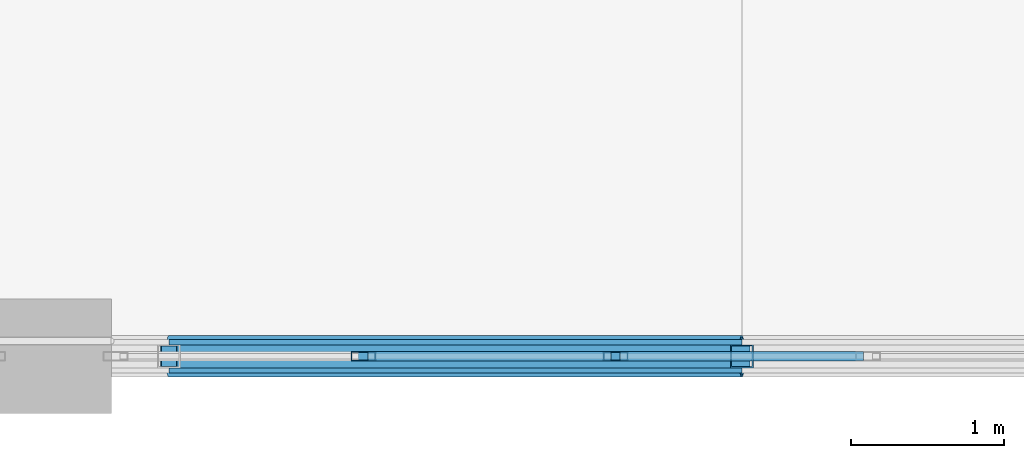
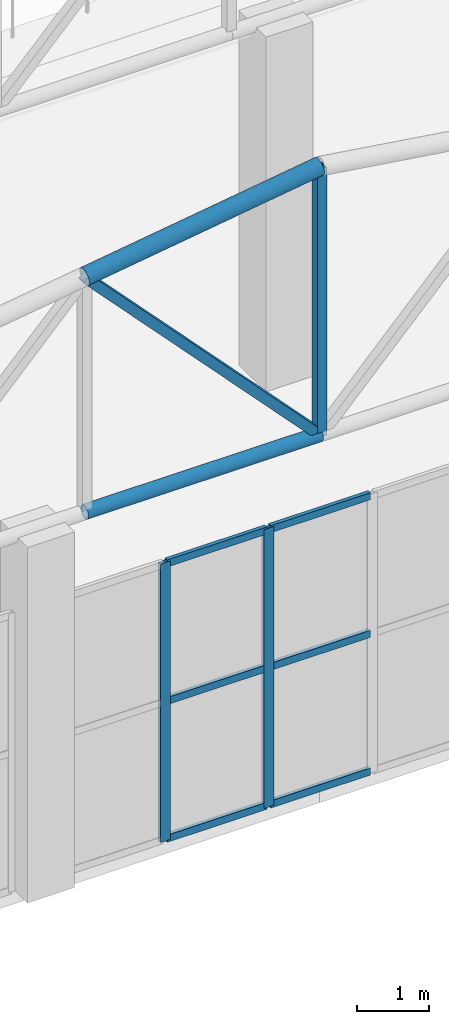
# One storey, part 48 of 223: 12 members, 1 element without a shape of its own.
"""IFC4 building model written with IfcOpenShell, lengths in metres."""

from ifc_helpers import new_model, si_unit, direction, frame, origin, origin_2d, place, context, subcontext, project, spatial, hollow_rectangle, hollow_circle, extrude, material, layer, layer_set, material_profile, profile_set, type_object, element, aggregate, save


model = new_model("IFC4")

# Units and contexts
model_context = context("Model", 3, precision=1e-05, world=origin(), true_north=direction((0.0, 1.0)))
body_context = subcontext(model_context, "Body", "Model", "MODEL_VIEW")
ifc_project = project(units=[si_unit("LENGTHUNIT", "METRE"), si_unit("AREAUNIT", "SQUARE_METRE"), si_unit("VOLUMEUNIT", "CUBIC_METRE"), si_unit("PLANEANGLEUNIT", "RADIAN"), si_unit("MASSUNIT", "GRAM", prefix="KILO")], contexts=[model_context])

# Site, building, storey
site_placement = place(None, origin())
site = spatial("IfcSite", under=ifc_project, at=site_placement, CompositionType="ELEMENT")
building_placement = place(site_placement, origin())
building = spatial("IfcBuilding", under=site, at=building_placement, Name="Dornveld Trade and Exhibition Forum", CompositionType="ELEMENT")
storey_placement = place(building_placement, frame((0.0, 0.0, 6.0)))
storey = spatial("IfcBuildingStorey", under=building, at=storey_placement, Name="L01", CompositionType="ELEMENT", Elevation=6.0)

# Curtain wall, members
ifc_material_1 = material(Name="Dark-bronze anodised aluminium and low-E glass", Category="aluminium")
ifc_layer = layer(ifc_material_1, 0.1689453125)
ifc_layer_set = layer_set([ifc_layer], Name="Dark-bronze anodised aluminium and low-E glass")
curtain_wall_type = type_object("IfcCurtainWallType", Name="CW-SYS-09", PredefinedType="USERDEFINED", material=ifc_layer_set)
curtain_wall_placement = place(storey_placement, origin())
curtain_wall = element("IfcCurtainWall", 1, at=curtain_wall_placement, inside=storey, type_object=curtain_wall_type, Name="L01 unitised curtain wall 135", ObjectType="UNITISED_CURTAIN_WALL", PredefinedType="USERDEFINED")
ifc_material_2 = material(Name="Dark-bronze anodised aluminium", Category="aluminium")
ifc_material_profile_1 = material_profile(ifc_material_2, hollow_rectangle(XDim=0.06005859375, YDim=0.159912109375, WallThickness=0.00390625, at=origin_2d()), Name="RHS 160x60x4")
ifc_profile_set_1 = profile_set([ifc_material_profile_1], Name="Dark-bronze anodised aluminium")
member_type_1 = type_object("IfcMemberType", Name="CW-MUL-160", PredefinedType="MULLION", material=ifc_profile_set_1)
member_1_placement = place(storey_placement, frame((173.022705078125, 0.0, -0.00390625), z_axis=(0.0, 0.0, 1.0), x_axis=(0.0, 1.0, 0.0)))
member_1 = element("IfcMember", 2, at=member_1_placement, type_object=member_type_1, Name="CW-09 mullion 2", PredefinedType="MULLION", context=body_context, shape_type="SweptSolid", body=[
    extrude(hollow_rectangle(XDim=0.06005859375, YDim=0.159912109375, WallThickness=0.00390625, at=origin_2d()), origin(), (0.0, 0.0, 1.0), 4.703857421875),
])
member_2_placement = place(storey_placement, frame((174.67431640625, 0.0, -0.00390625), z_axis=(0.0, 0.0, 1.0), x_axis=(0.0, 1.0, 0.0)))
member_2 = element("IfcMember", 3, at=member_2_placement, type_object=member_type_1, Name="CW-09 mullion 3", PredefinedType="MULLION", context=body_context, shape_type="SweptSolid", body=[
    extrude(hollow_rectangle(XDim=0.06005859375, YDim=0.159912109375, WallThickness=0.00390625, at=origin_2d()), origin(), (0.0, 0.0, 1.0), 4.703857421875),
])
ifc_material_3 = material(Name="Dark-bronze anodised aluminium", Category="aluminium")
ifc_material_profile_2 = material_profile(ifc_material_3, hollow_rectangle(XDim=0.06005859375, YDim=0.1201171875, WallThickness=0.00390625, at=origin_2d()), Name="RHS 120x60x4")
ifc_profile_set_2 = profile_set([ifc_material_profile_2], Name="Dark-bronze anodised aluminium")
member_type_2 = type_object("IfcMemberType", Name="CW-TRN-120", PredefinedType="USERDEFINED", material=ifc_profile_set_2)
member_3_placement = place(storey_placement, frame((173.052490234375, 0.0, 0.02587890625), z_axis=(1.0, 0.0, 0.0), x_axis=(0.0, 1.0, 0.0)))
member_3 = element("IfcMember", 4, at=member_3_placement, type_object=member_type_2, Name="CW-09 transom 2.1", ObjectType="TRANSOM", PredefinedType="USERDEFINED", context=body_context, shape_type="SweptSolid", body=[
    extrude(hollow_rectangle(XDim=0.06005859375, YDim=0.1201171875, WallThickness=0.00390625, at=origin_2d()), origin(), (0.0, 0.0, 1.0), 1.591796875),
])
member_4_placement = place(storey_placement, frame((173.052490234375, 0.0, 2.347900390625), z_axis=(1.0, 0.0, 0.0), x_axis=(0.0, 1.0, 0.0)))
member_4 = element("IfcMember", 5, at=member_4_placement, type_object=member_type_2, Name="CW-09 transom 2.2", ObjectType="TRANSOM", PredefinedType="USERDEFINED", context=body_context, shape_type="SweptSolid", body=[
    extrude(hollow_rectangle(XDim=0.06005859375, YDim=0.1201171875, WallThickness=0.00390625, at=origin_2d()), origin(), (0.0, 0.0, 1.0), 1.591796875),
])
member_5_placement = place(storey_placement, frame((173.052490234375, 0.0, 4.669921875), z_axis=(1.0, 0.0, 0.0), x_axis=(0.0, 1.0, 0.0)))
member_5 = element("IfcMember", 6, at=member_5_placement, type_object=member_type_2, Name="CW-09 transom 2.3", ObjectType="TRANSOM", PredefinedType="USERDEFINED", context=body_context, shape_type="SweptSolid", body=[
    extrude(hollow_rectangle(XDim=0.06005859375, YDim=0.1201171875, WallThickness=0.00390625, at=origin_2d()), origin(), (0.0, 0.0, 1.0), 1.591796875),
])
member_6_placement = place(storey_placement, frame((174.7041015625, 0.0, 0.02587890625), z_axis=(1.0, 0.0, 0.0), x_axis=(0.0, 1.0, 0.0)))
member_6 = element("IfcMember", 7, at=member_6_placement, type_object=member_type_2, Name="CW-09 transom 3.1", ObjectType="TRANSOM", PredefinedType="USERDEFINED", context=body_context, shape_type="SweptSolid", body=[
    extrude(hollow_rectangle(XDim=0.06005859375, YDim=0.1201171875, WallThickness=0.00390625, at=origin_2d()), origin(), (0.0, 0.0, 1.0), 1.591796875),
])
member_7_placement = place(storey_placement, frame((174.7041015625, 0.0, 2.347900390625), z_axis=(1.0, 0.0, 0.0), x_axis=(0.0, 1.0, 0.0)))
member_7 = element("IfcMember", 8, at=member_7_placement, type_object=member_type_2, Name="CW-09 transom 3.2", ObjectType="TRANSOM", PredefinedType="USERDEFINED", context=body_context, shape_type="SweptSolid", body=[
    extrude(hollow_rectangle(XDim=0.06005859375, YDim=0.1201171875, WallThickness=0.00390625, at=origin_2d()), origin(), (0.0, 0.0, 1.0), 1.591796875),
])
member_8_placement = place(storey_placement, frame((174.7041015625, 0.0, 4.669921875), z_axis=(1.0, 0.0, 0.0), x_axis=(0.0, 1.0, 0.0)))
member_8 = element("IfcMember", 9, at=member_8_placement, type_object=member_type_2, Name="CW-09 transom 3.3", ObjectType="TRANSOM", PredefinedType="USERDEFINED", context=body_context, shape_type="SweptSolid", body=[
    extrude(hollow_rectangle(XDim=0.06005859375, YDim=0.1201171875, WallThickness=0.00390625, at=origin_2d()), origin(), (0.0, 0.0, 1.0), 1.591796875),
])
aggregate(curtain_wall, [member_1, member_2, member_3, member_4, member_5, member_6, member_7, member_8])

# Members
ifc_material_4 = material(Name="Steel S355J2", Category="steel")
ifc_material_profile_3 = material_profile(ifc_material_4, hollow_rectangle(XDim=0.14990234375, YDim=0.14990234375, WallThickness=0.008056640625, at=origin_2d()), Name="SHS 150x150x8")
ifc_profile_set_3 = profile_set([ifc_material_profile_3], Name="Steel S355J2")
member_type_3 = type_object("IfcMemberType", Name="MEM-ARCH-STR", PredefinedType="STRUT", material=ifc_profile_set_3)
member_9_placement = place(storey_placement, frame((175.5, 0.0, 5.97998046875), z_axis=(0.0, 0.0, 1.0), x_axis=(1.0, 0.0, 0.0)))
element("IfcMember", 10, at=member_9_placement, inside=storey, type_object=member_type_3, Name="Congress roof truss 1 post 7", PredefinedType="STRUT", context=body_context, shape_type="SweptSolid", body=[
    extrude(hollow_rectangle(XDim=0.14990234375, YDim=0.14990234375, WallThickness=0.008056640625, at=origin_2d()), origin(), (0.0, 0.0, 1.0), 4.52001953125),
])
ifc_material_5 = material(Name="Steel S355J2", Category="steel")
ifc_material_profile_4 = material_profile(ifc_material_5, hollow_circle(Radius=0.109619140625, WallThickness=0.010009765625, at=origin_2d()), Name="CHS 219.1x10")
ifc_profile_set_4 = profile_set([ifc_material_profile_4], Name="Steel S355J2")
member_type_4 = type_object("IfcMemberType", Name="MEM-CONG-BC", PredefinedType="CHORD", material=ifc_profile_set_4)
member_10_placement = place(storey_placement, frame((171.75, 0.0, 5.97998046875), z_axis=(1.0, 0.0, 0.0), x_axis=(0.0, 1.0, 0.0)))
element("IfcMember", 11, at=member_10_placement, inside=storey, type_object=member_type_4, Name="Congress roof truss 1 bottom chord 6", PredefinedType="CHORD", context=body_context, shape_type="SweptSolid", body=[
    extrude(hollow_circle(Radius=0.109619140625, WallThickness=0.010009765625, at=origin_2d()), origin(), (0.0, 0.0, 1.0), 3.75),
])
ifc_material_6 = material(Name="Steel S355J2", Category="steel")
ifc_material_profile_5 = material_profile(ifc_material_6, hollow_circle(Radius=0.136474609375, WallThickness=0.012451171875, at=origin_2d()), Name="CHS 273x12.5")
ifc_profile_set_5 = profile_set([ifc_material_profile_5], Name="Steel S355J2")
member_type_5 = type_object("IfcMemberType", Name="MEM-CONG-TC", PredefinedType="CHORD", material=ifc_profile_set_5)
member_11_placement = place(storey_placement, frame((171.75, 0.0, 9.949951171875), z_axis=(0.989413064489, 0.0, 0.145126799108), x_axis=(0.0, 1.0, 0.0)))
element("IfcMember", 12, at=member_11_placement, inside=storey, type_object=member_type_5, Name="Congress roof truss 1 top chord 6", PredefinedType="CHORD", context=body_context, shape_type="SweptSolid", body=[
    extrude(hollow_circle(Radius=0.136474609375, WallThickness=0.012451171875, at=origin_2d()), origin(), (0.0, 0.0, 1.0), 3.7900390625),
])
ifc_material_7 = material(Name="Steel S355J2", Category="steel")
ifc_material_profile_6 = material_profile(ifc_material_7, hollow_rectangle(XDim=0.14990234375, YDim=0.14990234375, WallThickness=0.008056640625, at=origin_2d()), Name="SHS 150x150x8")
ifc_profile_set_6 = profile_set([ifc_material_profile_6], Name="Steel S355J2")
member_type_6 = type_object("IfcMemberType", Name="MEM-CONG-WEB", PredefinedType="BRACE", material=ifc_profile_set_6)
member_12_placement = place(storey_placement, frame((175.5, 0.0, 5.97998046875), z_axis=(-0.686679978257, 0.0, 0.72695983896), x_axis=(0.0, -1.0, 0.0)))
element("IfcMember", 13, at=member_12_placement, inside=storey, type_object=member_type_6, Name="Congress roof truss 1 web 6", PredefinedType="BRACE", context=body_context, shape_type="SweptSolid", body=[
    extrude(hollow_rectangle(XDim=0.14990234375, YDim=0.14990234375, WallThickness=0.008056640625, at=origin_2d()), origin(), (0.0, 0.0, 1.0), 5.4609375),
])

save(model, "model.ifc")
